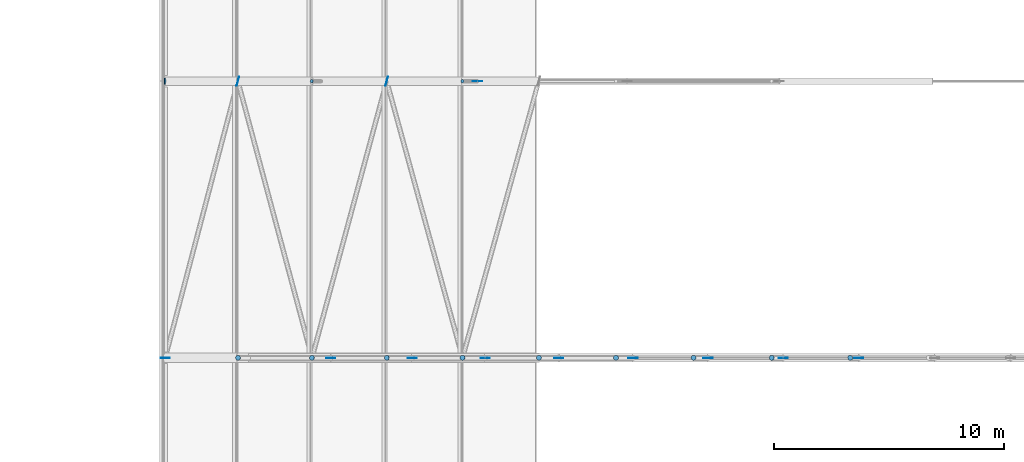
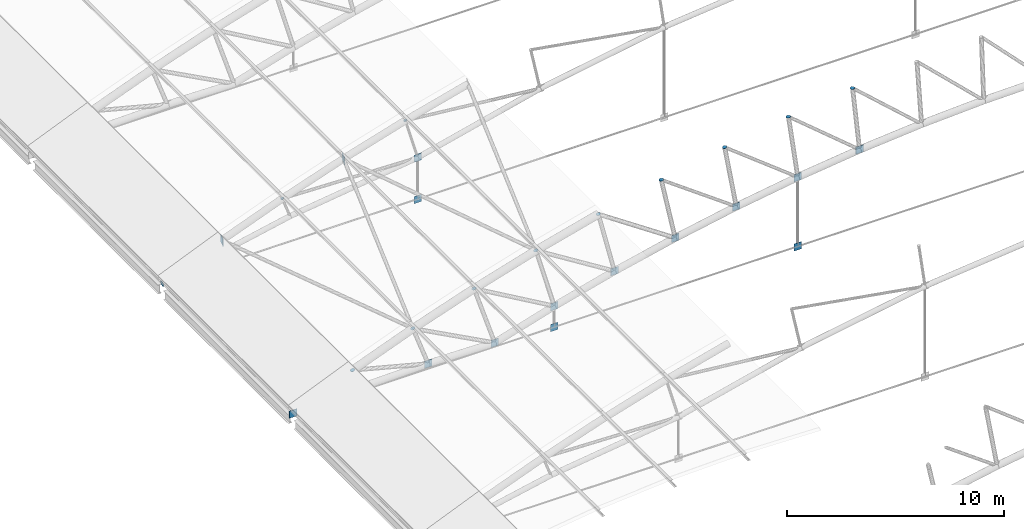
# One storey, part 294 of 321: 27 discrete accessories.
"""IFC4 building model written with IfcOpenShell, lengths in metres."""

from ifc_helpers import new_model, si_unit, direction, frame, origin, origin_2d, place, context, subcontext, project, spatial, rectangle, circle, extrude, material, material_profile, profile_set, type_object, element, save


model = new_model("IFC4")

# Units and contexts
model_context = context("Model", 3, precision=1e-05, world=origin(), true_north=direction((0.0, 1.0)))
body_context = subcontext(model_context, "Body", "Model", "MODEL_VIEW")
ifc_project = project(units=[si_unit("LENGTHUNIT", "METRE"), si_unit("AREAUNIT", "SQUARE_METRE"), si_unit("VOLUMEUNIT", "CUBIC_METRE"), si_unit("PLANEANGLEUNIT", "RADIAN"), si_unit("MASSUNIT", "GRAM", prefix="KILO")], contexts=[model_context])

# Site, building, storey
site_placement = place(None, origin())
site = spatial("IfcSite", under=ifc_project, at=site_placement, CompositionType="ELEMENT")
building_placement = place(site_placement, origin())
building = spatial("IfcBuilding", under=site, at=building_placement, Name="Ravi Spectrum Wholesale Market", CompositionType="ELEMENT")
storey_placement = place(building_placement, frame((0.0, 0.0, 10.800048828125)))
storey = spatial("IfcBuildingStorey", under=building, at=storey_placement, Name="L02", CompositionType="ELEMENT", Elevation=10.800048828125)

# Discrete accessories
ifc_material_1 = material(Name="Steel S355", Category="steel")
ifc_material_profile_1 = material_profile(ifc_material_1, circle(Radius=0.06982421875, at=origin_2d()))
ifc_profile_set_1 = profile_set([ifc_material_profile_1], Name="Steel S355")
discrete_accessory_type_1 = type_object("IfcDiscreteAccessoryType", Name="End plate CHS 139.7x5", PredefinedType="BRACKET", material=ifc_profile_set_1)
for number, where, z_axis, x_axis, name in (
    (1, (36.363037109375, 162.0, 2.56494140625), (-0.346650140872, 0.0, 0.937994498829), (0.0, -1.0, 0.0), "End plate"),
    (2, (42.896240234375, 162.0, 4.661376953125), (-0.266586054538, 0.0, 0.963811120254), (0.0, -1.0, 0.0), "End plate"),
):
    element("IfcDiscreteAccessory", number, at=place(storey_placement, frame(where, z_axis=z_axis, x_axis=x_axis)), inside=storey, type_object=discrete_accessory_type_1, Name=name, PredefinedType="BRACKET", context=body_context, shape_type="SweptSolid", body=[
        extrude(circle(Radius=0.06982421875, at=origin_2d()), origin(), (0.0, 0.0, 1.0), 0.011962890625),
    ])
ifc_material_2 = material(Name="Steel S355", Category="steel")
ifc_material_profile_2 = material_profile(ifc_material_2, circle(Radius=0.109619140625, at=origin_2d()))
ifc_profile_set_2 = profile_set([ifc_material_profile_2], Name="Steel S355")
discrete_accessory_type_2 = type_object("IfcDiscreteAccessoryType", Name="End plate CHS 219.1x8", PredefinedType="BRACKET", material=ifc_profile_set_2)
for number, where, z_axis, x_axis, name in (
    (3, (33.163818359375, 150.0, 1.325439453125), (-0.364399348581, 0.0, 0.931242779706), (0.0, -1.0, 0.0), "End plate"),
    (4, (36.37158203125, 150.0, 2.541015625), (-0.346650140872, 0.0, 0.937994498829), (0.0, -1.0, 0.0), "End plate"),
    (5, (39.619384765625, 150.0, 3.645263671875), (-0.304040173793, 0.0, 0.952659211219), (0.0, -1.0, 0.0), "End plate"),
):
    element("IfcDiscreteAccessory", number, at=place(storey_placement, frame(where, z_axis=z_axis, x_axis=x_axis)), inside=storey, type_object=discrete_accessory_type_2, Name=name, PredefinedType="BRACKET", context=body_context, shape_type="SweptSolid", body=[
        extrude(circle(Radius=0.109619140625, at=origin_2d()), origin(), (0.0, 0.0, 1.0), 0.011962890625),
    ])
discrete_accessory_1_placement = place(storey_placement, frame((42.903076171875, 150.0, 4.63671875), z_axis=(-0.261415475728, 0.0, 0.96522637192), x_axis=(0.0, -1.0, 0.0)))
element("IfcDiscreteAccessory", 6, at=discrete_accessory_1_placement, inside=storey, type_object=discrete_accessory_type_2, Name="End plate", PredefinedType="BRACKET", context=body_context, shape_type="SweptSolid", body=[
    extrude(circle(Radius=0.109619140625, at=origin_2d()), origin(), (0.0, 0.0, 1.0), 0.01220703125),
])
for number, where, z_axis, x_axis, name in (
    (7, (46.21923828125, 150.0, 5.514404296875), (-0.223376156329, 0.0, 0.974732318528), (0.0, -1.0, 0.0), "End plate"),
    (8, (49.563720703125, 150.0, 6.27734375), (-0.203954254112, 0.0, 0.978980419738), (0.0, -1.0, 0.0), "End plate"),
    (9, (52.9326171875, 150.0, 6.92431640625), (-0.18428853505, 0.0, 0.982872186934), (0.0, -1.0, 0.0), "End plate"),
    (10, (56.321533203125, 150.0, 7.45458984375), (-0.141421356237, 0.0, 0.989949493661), (0.0, -1.0, 0.0), "End plate"),
    (11, (59.726806640625, 150.0, 7.867919921875), (-0.101513688013, 0.0, 0.994834142531), (0.0, -1.0, 0.0), "End plate"),
):
    element("IfcDiscreteAccessory", number, at=place(storey_placement, frame(where, z_axis=z_axis, x_axis=x_axis)), inside=storey, type_object=discrete_accessory_type_2, Name=name, PredefinedType="BRACKET", context=body_context, shape_type="SweptSolid", body=[
        extrude(circle(Radius=0.109619140625, at=origin_2d()), origin(), (0.0, 0.0, 1.0), 0.011962890625),
    ])
ifc_material_3 = material(Name="Steel S355", Category="steel")
ifc_material_profile_3 = material_profile(ifc_material_3, circle(Radius=0.136474609375, at=origin_2d()))
ifc_profile_set_3 = profile_set([ifc_material_profile_3], Name="Steel S355")
discrete_accessory_type_3 = type_object("IfcDiscreteAccessoryType", Name="End plate CHS 273x10", PredefinedType="BRACKET", material=ifc_profile_set_3)
discrete_accessory_2_placement = place(storey_placement, frame((29.98974609375, 162.0, 0.023193359375), z_axis=(-0.978980419738, 0.0, -0.203954254112), x_axis=(0.0, -1.0, 0.0)))
element("IfcDiscreteAccessory", 12, at=discrete_accessory_2_placement, inside=storey, type_object=discrete_accessory_type_3, Name="End plate", PredefinedType="BRACKET", context=body_context, shape_type="SweptSolid", body=[
    extrude(circle(Radius=0.136474609375, at=origin_2d()), origin(), (0.0, 0.0, 1.0), 0.011962890625),
])
ifc_material_4 = material(Name="Steel S355", Category="steel")
ifc_material_profile_4 = material_profile(ifc_material_4, rectangle(XDim=0.39990234375, YDim=0.02001953125, at=origin_2d()))
ifc_profile_set_4 = profile_set([ifc_material_profile_4], Name="Steel S355")
discrete_accessory_type_4 = type_object("IfcDiscreteAccessoryType", Name="Gusset plate 400x400x20", PredefinedType="BRACKET", material=ifc_profile_set_4)
for number, where, z_axis, x_axis, name in (
    (13, (30.0, 150.0, -0.199951171875), (0.0, 0.0, 1.0), (1.0, 0.0, 0.0), "Gusset plate"),
    (14, (33.154541015625, 162.0, 1.149169921875), (0.0, 0.0, 1.0), (0.254234697305, 0.967142553446, 0.0), "Gusset plate"),
    (15, (37.18310546875, 150.0, 0.08251953125), (0.0, 0.0, 1.0), (1.0, 0.0, 0.0), "Gusset plate"),
    (16, (39.611572265625, 162.0, 3.469482421875), (0.0, 0.0, 1.0), (0.26066352772, 0.965429710189, 0.0), "Gusset plate"),
):
    element("IfcDiscreteAccessory", number, at=place(storey_placement, frame(where, z_axis=z_axis, x_axis=x_axis)), inside=storey, type_object=discrete_accessory_type_4, Name=name, PredefinedType="BRACKET", context=body_context, shape_type="SweptSolid", body=[
        extrude(rectangle(XDim=0.39990234375, YDim=0.02001953125, at=origin_2d()), origin(), (0.0, 0.0, 1.0), 0.39990234375),
    ])
discrete_accessory_3_placement = place(storey_placement, frame((40.71923828125, 150.0, 0.017333984375), z_axis=(0.0, 0.0, 1.0), x_axis=(1.0, 0.0, 0.0)))
element("IfcDiscreteAccessory", 17, at=discrete_accessory_3_placement, inside=storey, type_object=discrete_accessory_type_4, Name="Gusset plate", PredefinedType="BRACKET", context=body_context, shape_type="SweptSolid", body=[
    extrude(rectangle(XDim=0.39990234375, YDim=0.02001953125, at=origin_2d()), origin(), (0.0, 0.0, 1.0), 0.400146484375),
])
for number, where, z_axis, x_axis, name in (
    (18, (43.55029296875, 162.0, -0.1767578125), (0.0, 0.0, 1.0), (1.0, 0.0, 0.0), "Gusset plate"),
    (19, (43.55029296875, 162.0, 2.152099609375), (0.0, 0.0, 1.0), (1.0, 0.0, 0.0), "Gusset plate"),
    (20, (43.88427734375, 150.0, -0.199951171875), (0.0, 0.0, 1.0), (1.0, 0.0, 0.0), "Gusset plate"),
    (21, (43.88427734375, 150.0, 0.97314453125), (0.0, 0.0, 1.0), (1.0, 0.0, 0.0), "Gusset plate"),
    (22, (47.080322265625, 150.0, 1.819091796875), (0.0, 0.0, 1.0), (1.0, 0.0, 0.0), "Gusset plate"),
    (23, (50.3037109375, 150.0, 2.55419921875), (0.0, 0.0, 1.0), (1.0, 0.0, 0.0), "Gusset plate"),
    (24, (53.55029296875, 150.0, 3.177734375), (0.0, 0.0, 1.0), (1.0, 0.0, 0.0), "Gusset plate"),
    (25, (56.81689453125, 150.0, -0.199951171875), (0.0, 0.0, 1.0), (1.0, 0.0, 0.0), "Gusset plate"),
    (26, (56.81689453125, 150.0, 3.68896484375), (0.0, 0.0, 1.0), (1.0, 0.0, 0.0), "Gusset plate"),
    (27, (60.098876953125, 150.0, 4.087158203125), (0.0, 0.0, 1.0), (1.0, 0.0, 0.0), "Gusset plate"),
):
    element("IfcDiscreteAccessory", number, at=place(storey_placement, frame(where, z_axis=z_axis, x_axis=x_axis)), inside=storey, type_object=discrete_accessory_type_4, Name=name, PredefinedType="BRACKET", context=body_context, shape_type="SweptSolid", body=[
        extrude(rectangle(XDim=0.39990234375, YDim=0.02001953125, at=origin_2d()), origin(), (0.0, 0.0, 1.0), 0.39990234375),
    ])

save(model, "model.ifc")
